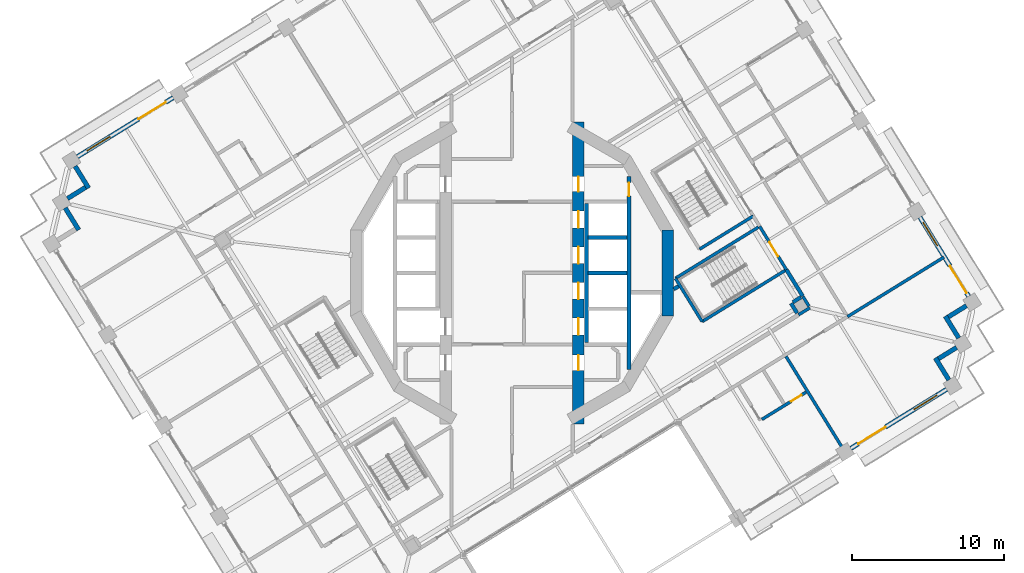
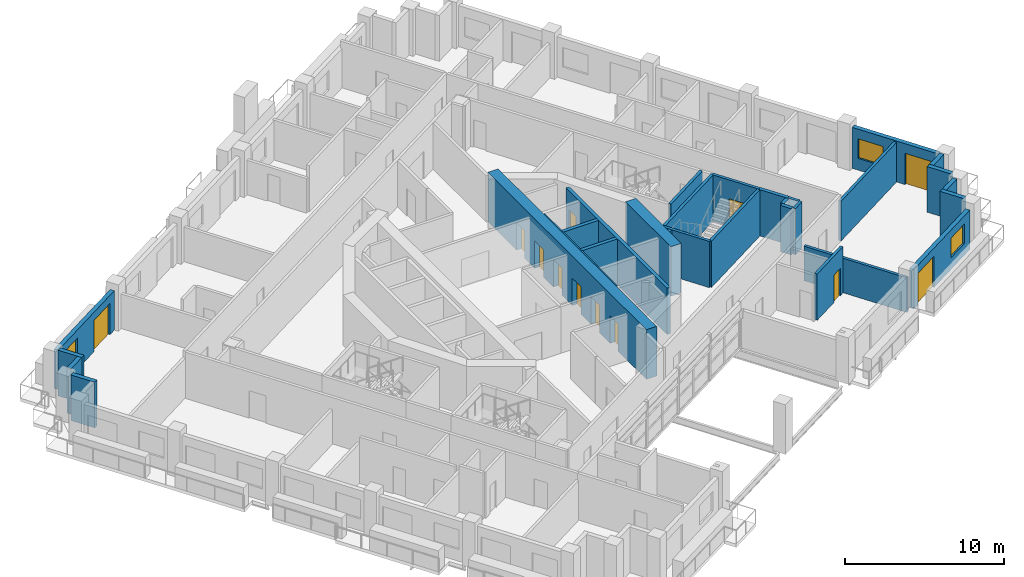
# One storey, part 11 of 22: 30 walls, 12 doors, 3 windows, 15 openings.
"""IFC4 building model written with IfcOpenShell, lengths in metres."""

from ifc_helpers import new_model, si_unit, direction, frame, frame_2d, origin, place, context, subcontext, project, spatial, rectangle, extrude, material, layer, layer_set, type_object, element, fill, save


model = new_model("IFC4")

# Units and contexts
model_context = context("Model", 3, precision=1e-05, world=origin(), true_north=direction((0.0, 1.0)))
body_context = subcontext(model_context, "Body", "Model", "MODEL_VIEW")
ifc_project = project(units=[si_unit("LENGTHUNIT", "METRE"), si_unit("AREAUNIT", "SQUARE_METRE"), si_unit("VOLUMEUNIT", "CUBIC_METRE"), si_unit("PLANEANGLEUNIT", "RADIAN"), si_unit("MASSUNIT", "GRAM", prefix="KILO")], contexts=[model_context])

# Site, building, storey
site_placement = place(None, origin())
site = spatial("IfcSite", under=ifc_project, at=site_placement, CompositionType="ELEMENT")
building_placement = place(site_placement, origin())
building = spatial("IfcBuilding", under=site, at=building_placement, Name="Cantera Rosa Tower", CompositionType="ELEMENT")
storey_placement = place(building_placement, frame((0.0, 0.0, 178.0)))
storey = spatial("IfcBuildingStorey", under=building, at=storey_placement, Name="L39", CompositionType="ELEMENT", Elevation=178.0)

# Walls
ifc_material_1 = material(Name="Gypsum board partition")
ifc_layer_1 = layer(ifc_material_1, 0.199951171875)
ifc_layer_set_1 = layer_set([ifc_layer_1], Name="CORRIDOR WALL 200 H3550")
wall_type_1 = type_object("IfcWallType", Name="CORRIDOR WALL 200 H3550", PredefinedType="PARTITIONING", material=ifc_layer_set_1)
wall_1_placement = place(storey_placement, frame((18.874267578125, -2.7509765625, 0.0), z_axis=(0.0, 0.0, 1.0), x_axis=(0.851162606387, 0.524902102766, 0.0)))
element("IfcWall", 1, at=wall_1_placement, inside=storey, type_object=wall_type_1, Name="CORRIDOR WALL L39-126", PredefinedType="PARTITIONING", context=body_context, shape_type="SweptSolid", body=[
    extrude(rectangle(XDim=0.8798828125, YDim=0.199951171875, at=frame_2d((0.43994140625, 0.0))), origin(), (0.0, 0.0, 1.0), 3.550048828125),
])
wall_2_placement = place(storey_placement, frame((19.560302734375, -2.18701171875, 0.0), z_axis=(0.0, 0.0, 1.0), x_axis=(-0.524849917314, 0.851194786342, 0.0)))
element("IfcWall", 2, at=wall_2_placement, inside=storey, type_object=wall_type_1, Name="CORRIDOR WALL L39-131", PredefinedType="PARTITIONING", context=body_context, shape_type="SweptSolid", body=[
    extrude(rectangle(XDim=0.760009765625, YDim=0.199951171875, at=frame_2d((0.3798828125, 0.0))), origin(), (0.0, 0.0, 1.0), 3.550048828125),
])
ifc_material_2 = material(Name="Hollow clay masonry with cantera stone cladding", Category="masonry")
ifc_layer_2 = layer(ifc_material_2, 0.300048828125)
ifc_layer_set_2 = layer_set([ifc_layer_2], Name="EW-LOGGIA 300")
wall_type_2 = type_object("IfcWallType", Name="EW-LOGGIA 300", PredefinedType="SOLIDWALL", material=ifc_layer_set_2)
wall_3_placement = place(storey_placement, frame((-28.7802734375, 7.0390625, 0.0), z_axis=(0.0, 0.0, 1.0), x_axis=(0.524994468487, -0.851105638601, 0.0)))
element("IfcWall", 3, at=wall_3_placement, inside=storey, type_object=wall_type_2, Name="EN-L39-W13a", PredefinedType="SOLIDWALL", context=body_context, shape_type="SweptSolid", body=[
    extrude(rectangle(XDim=1.7001953125, YDim=0.300048828125, at=frame_2d((0.85009765625, 0.0))), origin(), (0.0, 0.0, 1.0), 3.5),
])
wall_4_placement = place(storey_placement, frame((-28.09423828125, 5.64111328125, 0.0), z_axis=(0.0, 0.0, 1.0), x_axis=(-0.851040987269, -0.525099264891, 0.0)))
element("IfcWall", 4, at=wall_4_placement, inside=storey, type_object=wall_type_2, Name="EN-L39-W13b", PredefinedType="SOLIDWALL", context=body_context, shape_type="SweptSolid", body=[
    extrude(rectangle(XDim=1.39990234375, YDim=0.300048828125, at=frame_2d((0.699951171875, 0.0))), origin(), (0.0, 0.0, 1.0), 3.5),
])
for number, where, z_axis, x_axis, name in (
    (5, (-29.4326171875, 4.286865234375, 0.0), (0.0, 0.0, 1.0), (0.524994468487, -0.851105638601, 0.0), "EN-L39-W14a"),
    (6, (28.7802734375, -7.0390625, 0.0), (0.0, 0.0, 1.0), (-0.524994468487, 0.851105638601, 0.0), "EN-L39-W27a"),
):
    element("IfcWall", number, at=place(storey_placement, frame(where, z_axis=z_axis, x_axis=x_axis)), inside=storey, type_object=wall_type_2, Name=name, PredefinedType="SOLIDWALL", context=body_context, shape_type="SweptSolid", body=[
        extrude(rectangle(XDim=1.7001953125, YDim=0.300048828125, at=frame_2d((0.85009765625, 0.0))), origin(), (0.0, 0.0, 1.0), 3.5),
    ])
wall_5_placement = place(storey_placement, frame((28.09423828125, -5.64111328125, 0.0), z_axis=(0.0, 0.0, 1.0), x_axis=(0.851040987269, 0.525099264891, 0.0)))
element("IfcWall", 7, at=wall_5_placement, inside=storey, type_object=wall_type_2, Name="EN-L39-W27b", PredefinedType="SOLIDWALL", context=body_context, shape_type="SweptSolid", body=[
    extrude(rectangle(XDim=1.39990234375, YDim=0.300048828125, at=frame_2d((0.699951171875, 0.0))), origin(), (0.0, 0.0, 1.0), 3.5),
])
wall_6_placement = place(storey_placement, frame((29.4326171875, -4.286865234375, 0.0), z_axis=(0.0, 0.0, 1.0), x_axis=(-0.524994468487, 0.851105638601, 0.0)))
element("IfcWall", 8, at=wall_6_placement, inside=storey, type_object=wall_type_2, Name="EN-L39-W28a", PredefinedType="SOLIDWALL", context=body_context, shape_type="SweptSolid", body=[
    extrude(rectangle(XDim=1.7001953125, YDim=0.300048828125, at=frame_2d((0.85009765625, 0.0))), origin(), (0.0, 0.0, 1.0), 3.5),
])
wall_7_placement = place(storey_placement, frame((28.74658203125, -2.888916015625, 0.0), z_axis=(0.0, 0.0, 1.0), x_axis=(0.851040987269, 0.525099264891, 0.0)))
element("IfcWall", 9, at=wall_7_placement, inside=storey, type_object=wall_type_2, Name="EN-L39-W28b", PredefinedType="SOLIDWALL", context=body_context, shape_type="SweptSolid", body=[
    extrude(rectangle(XDim=1.39990234375, YDim=0.300048828125, at=frame_2d((0.699951171875, 0.0))), origin(), (0.0, 0.0, 1.0), 3.5),
])

# Wall, openings, window, door
ifc_material_3 = material(Name="Hollow clay masonry with cantera stone cladding", Category="masonry")
ifc_layer_3 = layer(ifc_material_3, 0.300048828125)
ifc_layer_set_3 = layer_set([ifc_layer_3], Name="EW-LOGGIA 300 H3020")
wall_type_3 = type_object("IfcWallType", Name="EW-LOGGIA 300 H3020", PredefinedType="SOLIDWALL", material=ifc_layer_set_3)
wall_8_placement = place(storey_placement, frame((-22.318115234375, 11.5537109375, 0.0), z_axis=(0.0, 0.0, 1.0), x_axis=(-0.851111085575, -0.524985637909, 0.0)))
wall_8 = element("IfcWall", 10, at=wall_8_placement, inside=storey, type_object=wall_type_3, Name="EN-L39-W12", PredefinedType="SOLIDWALL", context=body_context, shape_type="SweptSolid", body=[
    extrude(rectangle(XDim=7.420166015625, YDim=0.300048828125, at=frame_2d((3.7099609375, 0.0))), origin(), (0.0, 0.0, 1.0), 3.02001953125),
])
opening_1_placement = place(wall_8_placement, frame((0.580078125, 0.0, 0.0)))
opening_1 = element("IfcOpeningElement", 11, at=opening_1_placement, cuts=wall_8, Name="Opening L39-TD19", PredefinedType="OPENING", context=body_context, shape_type="SweptSolid", body=[
    extrude(rectangle(XDim=2.10009765625, YDim=2.39990234375, at=frame_2d((1.050048828125, 1.199951171875))), frame((0.0, 0.159912109375, 0.0), z_axis=(0.0, -1.0, 0.0), x_axis=(1.0, 0.0, 0.0)), (0.0, 0.0, 1.0), 0.320068359375),
])
opening_2_placement = place(wall_8_placement, frame((4.889892578125, 0.0, 0.89990234375)))
opening_2 = element("IfcOpeningElement", 12, at=opening_2_placement, cuts=wall_8, Name="Opening L39-W20", PredefinedType="OPENING", context=body_context, shape_type="SweptSolid", body=[
    extrude(rectangle(XDim=1.800048828125, YDim=1.5, at=frame_2d((0.89990234375, 0.75))), frame((0.0, 0.159912109375, 0.0), z_axis=(0.0, -1.0, 0.0), x_axis=(1.0, 0.0, 0.0)), (0.0, 0.0, 1.0), 0.320068359375),
])
ifc_material_4 = material(Name="Aluminium frame with clear glass", Category="aluminium")
window_type = type_object("IfcWindowType", Name="Hotel room window 1800x1500", PartitioningType="DOUBLE_PANEL_VERTICAL", PredefinedType="WINDOW", material=ifc_material_4)
window_1_placement = place(opening_2_placement, origin())
window_1 = element("IfcWindow", 13, at=window_1_placement, inside=storey, type_object=window_type, Name="WINDOW L39-W20", OverallHeight=1.5, OverallWidth=1.800048828125, PartitioningType="SINGLE_PANEL", PredefinedType="WINDOW", context=body_context, shape_type="SweptSolid", body=[
    extrude(rectangle(XDim=1.800048828125, YDim=1.5, at=frame_2d((0.89990234375, 0.75))), frame((0.0, 0.030029296875, 0.0), z_axis=(0.0, -1.0, 0.0), x_axis=(1.0, 0.0, 0.0)), (0.0, 0.0, 1.0), 0.06005859375),
])
fill(opening_2, window_1)
ifc_material_5 = material(Name="Aluminium frame with clear glass", Category="aluminium")
door_type_1 = type_object("IfcDoorType", Name="TD-H 2100x2400", OperationType="NOTDEFINED", PredefinedType="DOOR", material=ifc_material_5)
door_1_placement = place(opening_1_placement, origin())
door_1 = element("IfcDoor", 14, at=door_1_placement, inside=storey, type_object=door_type_1, Name="LOGGIA DOOR L39-TD19", OperationType="SLIDING_TO_LEFT", OverallHeight=2.39990234375, OverallWidth=2.10009765625, PredefinedType="DOOR", context=body_context, shape_type="SweptSolid", body=[
    extrude(rectangle(XDim=2.10009765625, YDim=2.39990234375, at=frame_2d((1.050048828125, 1.199951171875))), frame((0.0, 0.02490234375, 0.0), z_axis=(0.0, -1.0, 0.0), x_axis=(1.0, 0.0, 0.0)), (0.0, 0.0, 1.0), 0.050048828125),
])
fill(opening_1, door_1)

wall_9_placement = place(storey_placement, frame((22.318115234375, -11.5537109375, 0.0), z_axis=(0.0, 0.0, 1.0), x_axis=(0.851111085575, 0.524985637909, 0.0)))
wall_9 = element("IfcWall", 15, at=wall_9_placement, inside=storey, type_object=wall_type_3, Name="EN-L39-W26", PredefinedType="SOLIDWALL", context=body_context, shape_type="SweptSolid", body=[
    extrude(rectangle(XDim=7.420166015625, YDim=0.300048828125, at=frame_2d((3.7099609375, 0.0))), origin(), (0.0, 0.0, 1.0), 3.02001953125),
])
opening_3_placement = place(wall_9_placement, frame((0.580078125, 0.0, 0.0)))
opening_3 = element("IfcOpeningElement", 16, at=opening_3_placement, cuts=wall_9, Name="Opening L39-TD35", PredefinedType="OPENING", context=body_context, shape_type="SweptSolid", body=[
    extrude(rectangle(XDim=2.10009765625, YDim=2.39990234375, at=frame_2d((1.050048828125, 1.199951171875))), frame((0.0, 0.159912109375, 0.0), z_axis=(0.0, -1.0, 0.0), x_axis=(1.0, 0.0, 0.0)), (0.0, 0.0, 1.0), 0.320068359375),
])
opening_4_placement = place(wall_9_placement, frame((4.889892578125, 0.0, 0.89990234375)))
opening_4 = element("IfcOpeningElement", 17, at=opening_4_placement, cuts=wall_9, Name="Opening L39-W36", PredefinedType="OPENING", context=body_context, shape_type="SweptSolid", body=[
    extrude(rectangle(XDim=1.800048828125, YDim=1.5, at=frame_2d((0.89990234375, 0.75))), frame((0.0, 0.159912109375, 0.0), z_axis=(0.0, -1.0, 0.0), x_axis=(1.0, 0.0, 0.0)), (0.0, 0.0, 1.0), 0.320068359375),
])
window_2_placement = place(opening_4_placement, origin())
window_2 = element("IfcWindow", 18, at=window_2_placement, inside=storey, type_object=window_type, Name="WINDOW L39-W36", OverallHeight=1.5, OverallWidth=1.800048828125, PartitioningType="SINGLE_PANEL", PredefinedType="WINDOW", context=body_context, shape_type="SweptSolid", body=[
    extrude(rectangle(XDim=1.800048828125, YDim=1.5, at=frame_2d((0.89990234375, 0.75))), frame((0.0, 0.030029296875, 0.0), z_axis=(0.0, -1.0, 0.0), x_axis=(1.0, 0.0, 0.0)), (0.0, 0.0, 1.0), 0.06005859375),
])
fill(opening_4, window_2)
door_2_placement = place(opening_3_placement, origin())
door_2 = element("IfcDoor", 19, at=door_2_placement, inside=storey, type_object=door_type_1, Name="LOGGIA DOOR L39-TD35", OperationType="SLIDING_TO_LEFT", OverallHeight=2.39990234375, OverallWidth=2.10009765625, PredefinedType="DOOR", context=body_context, shape_type="SweptSolid", body=[
    extrude(rectangle(XDim=2.10009765625, YDim=2.39990234375, at=frame_2d((1.050048828125, 1.199951171875))), frame((0.0, 0.02490234375, 0.0), z_axis=(0.0, -1.0, 0.0), x_axis=(1.0, 0.0, 0.0)), (0.0, 0.0, 1.0), 0.050048828125),
])
fill(opening_3, door_2)

ifc_material_6 = material(Name="Hollow clay masonry with cantera stone cladding", Category="masonry")
ifc_layer_4 = layer(ifc_material_6, 0.300048828125)
ifc_layer_set_4 = layer_set([ifc_layer_4], Name="EW-LOGGIA 300 H3140")
wall_type_4 = type_object("IfcWallType", Name="EW-LOGGIA 300 H3140", PredefinedType="SOLIDWALL", material=ifc_layer_set_4)
wall_10_placement = place(storey_placement, frame((30.084716796875, -1.53466796875, 0.0), z_axis=(0.0, 0.0, 1.0), x_axis=(-0.524987447654, 0.851109969279, 0.0)))
wall_10 = element("IfcWall", 20, at=wall_10_placement, inside=storey, type_object=wall_type_4, Name="EN-L39-W01", PredefinedType="SOLIDWALL", context=body_context, shape_type="SweptSolid", body=[
    extrude(rectangle(XDim=6.119873046875, YDim=0.300048828125, at=frame_2d((3.06005859375, 0.0))), origin(), (0.0, 0.0, 1.0), 3.139892578125),
])
opening_5_placement = place(wall_10_placement, frame((0.2548828125, 0.0, 0.0)))
opening_5 = element("IfcOpeningElement", 21, at=opening_5_placement, cuts=wall_10, Name="Opening L39-TD01", PredefinedType="OPENING", context=body_context, shape_type="SweptSolid", body=[
    extrude(rectangle(XDim=2.10009765625, YDim=2.39990234375, at=frame_2d((1.050048828125, 1.199951171875))), frame((0.0, 0.159912109375, 0.0), z_axis=(0.0, -1.0, 0.0), x_axis=(1.0, 0.0, 0.0)), (0.0, 0.0, 1.0), 0.320068359375),
])
opening_6_placement = place(wall_10_placement, frame((3.9150390625, 0.0, 0.89990234375)))
opening_6 = element("IfcOpeningElement", 22, at=opening_6_placement, cuts=wall_10, Name="Opening L39-W02", PredefinedType="OPENING", context=body_context, shape_type="SweptSolid", body=[
    extrude(rectangle(XDim=1.800048828125, YDim=1.5, at=frame_2d((0.89990234375, 0.75))), frame((0.0, 0.159912109375, 0.0), z_axis=(0.0, -1.0, 0.0), x_axis=(1.0, 0.0, 0.0)), (0.0, 0.0, 1.0), 0.320068359375),
])
window_3_placement = place(opening_6_placement, origin())
window_3 = element("IfcWindow", 23, at=window_3_placement, inside=storey, type_object=window_type, Name="WINDOW L39-W02", OverallHeight=1.5, OverallWidth=1.800048828125, PartitioningType="SINGLE_PANEL", PredefinedType="WINDOW", context=body_context, shape_type="SweptSolid", body=[
    extrude(rectangle(XDim=1.800048828125, YDim=1.5, at=frame_2d((0.89990234375, 0.75))), frame((0.0, 0.030029296875, 0.0), z_axis=(0.0, -1.0, 0.0), x_axis=(1.0, 0.0, 0.0)), (0.0, 0.0, 1.0), 0.06005859375),
])
fill(opening_6, window_3)
door_3_placement = place(opening_5_placement, origin())
door_3 = element("IfcDoor", 24, at=door_3_placement, inside=storey, type_object=door_type_1, Name="LOGGIA DOOR L39-TD01", OperationType="SLIDING_TO_LEFT", OverallHeight=2.39990234375, OverallWidth=2.10009765625, PredefinedType="DOOR", context=body_context, shape_type="SweptSolid", body=[
    extrude(rectangle(XDim=2.10009765625, YDim=2.39990234375, at=frame_2d((1.050048828125, 1.199951171875))), frame((0.0, 0.02490234375, 0.0), z_axis=(0.0, -1.0, 0.0), x_axis=(1.0, 0.0, 0.0)), (0.0, 0.0, 1.0), 0.050048828125),
])
fill(opening_5, door_3)

# Wall, opening, door
ifc_material_7 = material(Name="Gypsum board partition")
ifc_layer_5 = layer(ifc_material_7, 0.199951171875)
ifc_layer_set_5 = layer_set([ifc_layer_5], Name="PARTITION 200 H3550")
wall_type_5 = type_object("IfcWallType", Name="PARTITION 200 H3550", PredefinedType="PARTITIONING", material=ifc_layer_set_5)
wall_11_placement = place(storey_placement, frame((19.36572265625, -7.8525390625, 0.0), z_axis=(0.0, 0.0, 1.0), x_axis=(-0.851104758838, -0.524995894731, 0.0)))
wall_11 = element("IfcWall", 25, at=wall_11_placement, inside=storey, type_object=wall_type_5, Name="PARTITION L39-130", PredefinedType="PARTITIONING", context=body_context, shape_type="SweptSolid", body=[
    extrude(rectangle(XDim=3.41015625, YDim=0.199951171875, at=frame_2d((1.705078125, 0.0))), origin(), (0.0, 0.0, 1.0), 3.550048828125),
])
opening_7_placement = place(wall_11_placement, frame((0.35498046875, 0.0, 0.0)))
opening_7 = element("IfcOpeningElement", 26, at=opening_7_placement, cuts=wall_11, Name="Opening L39-050", PredefinedType="OPENING", context=body_context, shape_type="SweptSolid", body=[
    extrude(rectangle(XDim=0.800048828125, YDim=2.10009765625, at=frame_2d((0.39990234375, 1.050048828125))), frame((0.0, 0.10986328125, 0.0), z_axis=(0.0, -1.0, 0.0), x_axis=(1.0, 0.0, 0.0)), (0.0, 0.0, 1.0), 0.219970703125),
])
ifc_material_8 = material(Name="Timber door leaf", Category="wood")
door_type_2 = type_object("IfcDoorType", Name="BATHROOM DOOR 800x2100", OperationType="NOTDEFINED", PredefinedType="DOOR", material=ifc_material_8)
door_4_placement = place(opening_7_placement, origin())
door_4 = element("IfcDoor", 27, at=door_4_placement, inside=storey, type_object=door_type_2, Name="DOOR L39-050", OperationType="NOTDEFINED", OverallHeight=2.10009765625, OverallWidth=0.800048828125, PredefinedType="DOOR", context=body_context, shape_type="SweptSolid", body=[
    extrude(rectangle(XDim=0.800048828125, YDim=2.10009765625, at=frame_2d((0.39990234375, 1.050048828125))), frame((0.0, 0.02490234375, 0.0), z_axis=(0.0, -1.0, 0.0), x_axis=(1.0, 0.0, 0.0)), (0.0, 0.0, 1.0), 0.050048828125),
])
fill(opening_7, door_4)

# Walls
ifc_material_9 = material(Name="Gypsum board partition")
ifc_layer_6 = layer(ifc_material_9, 0.199951171875)
ifc_layer_set_6 = layer_set([ifc_layer_6], Name="PARTY WALL 200 H2650")
wall_type_6 = type_object("IfcWallType", Name="PARTY WALL 200 H2650", PredefinedType="PARTITIONING", material=ifc_layer_set_6)
wall_12_placement = place(storey_placement, frame((18.05029296875, -5.49169921875, 0.0), z_axis=(0.0, 0.0, 1.0), x_axis=(0.52498429839, -0.851111911821, 0.0)))
element("IfcWall", 28, at=wall_12_placement, inside=storey, type_object=wall_type_6, Name="PARTY WALL L39-122", PredefinedType="PARTITIONING", context=body_context, shape_type="SweptSolid", body=[
    extrude(rectangle(XDim=7.3701171875, YDim=0.199951171875, at=frame_2d((3.68505859375, 0.0))), origin(), (0.0, 0.0, 1.0), 2.64990234375),
])
ifc_material_10 = material(Name="Gypsum board partition")
ifc_layer_7 = layer(ifc_material_10, 0.199951171875)
ifc_layer_set_7 = layer_set([ifc_layer_7], Name="PARTY WALL 200 H3050")
wall_type_7 = type_object("IfcWallType", Name="PARTY WALL 200 H3050", PredefinedType="PARTITIONING", material=ifc_layer_set_7)
wall_13_placement = place(storey_placement, frame((28.4580078125, 1.04541015625, 0.0), z_axis=(0.0, 0.0, 1.0), x_axis=(-0.85111586596, -0.524977887831, 0.0)))
element("IfcWall", 29, at=wall_13_placement, inside=storey, type_object=wall_type_7, Name="PARTY WALL L39-135", PredefinedType="PARTITIONING", context=body_context, shape_type="SweptSolid", body=[
    extrude(rectangle(XDim=7.469970703125, YDim=0.199951171875, at=frame_2d((3.73486328125, 0.0))), origin(), (0.0, 0.0, 1.0), 3.050048828125),
])
ifc_material_11 = material(Name="Concrete C60/75", Category="concrete")
ifc_layer_8 = layer(ifc_material_11, 0.75)
ifc_layer_set_8 = layer_set([ifc_layer_8], Name="RC CORE WALL 750 C60/75")
wall_type_8 = type_object("IfcWallType", Name="RC CORE WALL 750 C60/75", PredefinedType="SHEAR", material=ifc_layer_set_8)
wall_14_placement = place(storey_placement, frame((10.250244140625, 2.846923828125, 0.0), z_axis=(0.0, 0.0, 1.0), x_axis=(0.0, -1.0, 0.0)))
element("IfcWall", 30, at=wall_14_placement, inside=storey, type_object=wall_type_8, Name="CW-E3 L39", PredefinedType="SHEAR", context=body_context, shape_type="SweptSolid", body=[
    extrude(rectangle(XDim=5.69384765625, YDim=0.75, at=frame_2d((2.846923828125, 0.0))), origin(), (0.0, 0.0, 1.0), 3.800048828125),
])

# Wall, openings, doors
wall_15_placement = place(storey_placement, frame((4.375, -9.95947265625, 0.0), z_axis=(0.0, 0.0, 1.0), x_axis=(0.0, 1.0, 0.0)))
wall_15 = element("IfcWall", 31, at=wall_15_placement, inside=storey, type_object=wall_type_8, Name="CW-E6 L39", PredefinedType="SHEAR", context=body_context, shape_type="SweptSolid", body=[
    extrude(rectangle(XDim=19.9189453125, YDim=0.75, at=frame_2d((9.95947265625, 0.0))), origin(), (0.0, 0.0, 1.0), 3.800048828125),
])
opening_8_placement = place(wall_15_placement, frame((5.884521484375, 0.0, 0.0)))
opening_8 = element("IfcOpeningElement", 32, at=opening_8_placement, cuts=wall_15, Name="Opening LD-FF1-L39", PredefinedType="OPENING", context=body_context, shape_type="SweptSolid", body=[
    extrude(rectangle(XDim=1.10009765625, YDim=2.10009765625, at=frame_2d((0.550048828125, 1.050048828125))), frame((0.0, 0.385009765625, 0.0), z_axis=(0.0, -1.0, 0.0), x_axis=(1.0, 0.0, 0.0)), (0.0, 0.0, 1.0), 0.77001953125),
])
opening_9_placement = place(wall_15_placement, frame((8.234619140625, 0.0, 0.0)))
opening_9 = element("IfcOpeningElement", 33, at=opening_9_placement, cuts=wall_15, Name="Opening LD-FF2-L39", PredefinedType="OPENING", context=body_context, shape_type="SweptSolid", body=[
    extrude(rectangle(XDim=1.10009765625, YDim=2.10009765625, at=frame_2d((0.550048828125, 1.050048828125))), frame((0.0, 0.385009765625, 0.0), z_axis=(0.0, -1.0, 0.0), x_axis=(1.0, 0.0, 0.0)), (0.0, 0.0, 1.0), 0.77001953125),
])
opening_10_placement = place(wall_15_placement, frame((10.58447265625, 0.0, 0.0)))
opening_10 = element("IfcOpeningElement", 34, at=opening_10_placement, cuts=wall_15, Name="Opening LD-P1-L39", PredefinedType="OPENING", context=body_context, shape_type="SweptSolid", body=[
    extrude(rectangle(XDim=1.10009765625, YDim=2.10009765625, at=frame_2d((0.550048828125, 1.050048828125))), frame((0.0, 0.385009765625, 0.0), z_axis=(0.0, -1.0, 0.0), x_axis=(1.0, 0.0, 0.0)), (0.0, 0.0, 1.0), 0.77001953125),
])
opening_11_placement = place(wall_15_placement, frame((12.9345703125, 0.0, 0.0)))
opening_11 = element("IfcOpeningElement", 35, at=opening_11_placement, cuts=wall_15, Name="Opening LD-P2-L39", PredefinedType="OPENING", context=body_context, shape_type="SweptSolid", body=[
    extrude(rectangle(XDim=1.10009765625, YDim=2.10009765625, at=frame_2d((0.550048828125, 1.050048828125))), frame((0.0, 0.385009765625, 0.0), z_axis=(0.0, -1.0, 0.0), x_axis=(1.0, 0.0, 0.0)), (0.0, 0.0, 1.0), 0.77001953125),
])
opening_12_placement = place(wall_15_placement, frame((3.55078125, 0.0, 0.0)))
opening_12 = element("IfcOpeningElement", 36, at=opening_12_placement, cuts=wall_15, Name="Opening SD-L39-20", PredefinedType="OPENING", context=body_context, shape_type="SweptSolid", body=[
    extrude(rectangle(XDim=1.0, YDim=2.10009765625, at=frame_2d((0.5, 1.050048828125))), frame((0.0, 0.385009765625, 0.0), z_axis=(0.0, -1.0, 0.0), x_axis=(1.0, 0.0, 0.0)), (0.0, 0.0, 1.0), 0.77001953125),
])
opening_13_placement = place(wall_15_placement, frame((15.318115234375, 0.0, 0.0)))
opening_13 = element("IfcOpeningElement", 37, at=opening_13_placement, cuts=wall_15, Name="Opening SD-L39-21", PredefinedType="OPENING", context=body_context, shape_type="SweptSolid", body=[
    extrude(rectangle(XDim=1.0, YDim=2.10009765625, at=frame_2d((0.5, 1.050048828125))), frame((0.0, 0.385009765625, 0.0), z_axis=(0.0, -1.0, 0.0), x_axis=(1.0, 0.0, 0.0)), (0.0, 0.0, 1.0), 0.77001953125),
])
ifc_material_12 = material(Name="Steel S355J2 (EN 10025-2)", Category="steel")
door_type_3 = type_object("IfcDoorType", Name="LANDING DOOR 1100x2100", OperationType="NOTDEFINED", PredefinedType="DOOR", material=ifc_material_12)
door_5_placement = place(opening_8_placement, origin())
door_5 = element("IfcDoor", 38, at=door_5_placement, inside=storey, type_object=door_type_3, Name="LANDING DOOR FF1 L39", OperationType="SLIDING_TO_LEFT", OverallHeight=2.10009765625, OverallWidth=1.10009765625, PredefinedType="DOOR", context=body_context, shape_type="SweptSolid", body=[
    extrude(rectangle(XDim=1.10009765625, YDim=2.10009765625, at=frame_2d((0.550048828125, 1.050048828125))), frame((0.0, 0.02490234375, 0.0), z_axis=(0.0, -1.0, 0.0), x_axis=(1.0, 0.0, 0.0)), (0.0, 0.0, 1.0), 0.050048828125),
])
fill(opening_8, door_5)
door_6_placement = place(opening_9_placement, origin())
door_6 = element("IfcDoor", 39, at=door_6_placement, inside=storey, type_object=door_type_3, Name="LANDING DOOR FF2 L39", OperationType="SLIDING_TO_LEFT", OverallHeight=2.10009765625, OverallWidth=1.10009765625, PredefinedType="DOOR", context=body_context, shape_type="SweptSolid", body=[
    extrude(rectangle(XDim=1.10009765625, YDim=2.10009765625, at=frame_2d((0.550048828125, 1.050048828125))), frame((0.0, 0.02490234375, 0.0), z_axis=(0.0, -1.0, 0.0), x_axis=(1.0, 0.0, 0.0)), (0.0, 0.0, 1.0), 0.050048828125),
])
fill(opening_9, door_6)
door_7_placement = place(opening_10_placement, origin())
door_7 = element("IfcDoor", 40, at=door_7_placement, inside=storey, type_object=door_type_3, Name="LANDING DOOR P1 L39", OperationType="SLIDING_TO_LEFT", OverallHeight=2.10009765625, OverallWidth=1.10009765625, PredefinedType="DOOR", context=body_context, shape_type="SweptSolid", body=[
    extrude(rectangle(XDim=1.10009765625, YDim=2.10009765625, at=frame_2d((0.550048828125, 1.050048828125))), frame((0.0, 0.02490234375, 0.0), z_axis=(0.0, -1.0, 0.0), x_axis=(1.0, 0.0, 0.0)), (0.0, 0.0, 1.0), 0.050048828125),
])
fill(opening_10, door_7)
door_8_placement = place(opening_11_placement, origin())
door_8 = element("IfcDoor", 41, at=door_8_placement, inside=storey, type_object=door_type_3, Name="LANDING DOOR P2 L39", OperationType="SLIDING_TO_LEFT", OverallHeight=2.10009765625, OverallWidth=1.10009765625, PredefinedType="DOOR", context=body_context, shape_type="SweptSolid", body=[
    extrude(rectangle(XDim=1.10009765625, YDim=2.10009765625, at=frame_2d((0.550048828125, 1.050048828125))), frame((0.0, 0.02490234375, 0.0), z_axis=(0.0, -1.0, 0.0), x_axis=(1.0, 0.0, 0.0)), (0.0, 0.0, 1.0), 0.050048828125),
])
fill(opening_11, door_8)
ifc_material_13 = material(Name="Timber door leaf", Category="wood")
door_type_4 = type_object("IfcDoorType", Name="SERVICE DOOR 1000x2100", OperationType="NOTDEFINED", PredefinedType="DOOR", material=ifc_material_13)
door_9_placement = place(opening_12_placement, origin())
door_9 = element("IfcDoor", 42, at=door_9_placement, inside=storey, type_object=door_type_4, Name="DOOR L39-SD20", OperationType="NOTDEFINED", OverallHeight=2.10009765625, OverallWidth=1.0, PredefinedType="DOOR", context=body_context, shape_type="SweptSolid", body=[
    extrude(rectangle(XDim=1.0, YDim=2.10009765625, at=frame_2d((0.5, 1.050048828125))), frame((0.0, 0.02490234375, 0.0), z_axis=(0.0, -1.0, 0.0), x_axis=(1.0, 0.0, 0.0)), (0.0, 0.0, 1.0), 0.050048828125),
])
fill(opening_12, door_9)
door_10_placement = place(opening_13_placement, origin())
door_10 = element("IfcDoor", 43, at=door_10_placement, inside=storey, type_object=door_type_4, Name="DOOR L39-SD21", OperationType="NOTDEFINED", OverallHeight=2.10009765625, OverallWidth=1.0, PredefinedType="DOOR", context=body_context, shape_type="SweptSolid", body=[
    extrude(rectangle(XDim=1.0, YDim=2.10009765625, at=frame_2d((0.5, 1.050048828125))), frame((0.0, 0.02490234375, 0.0), z_axis=(0.0, -1.0, 0.0), x_axis=(1.0, 0.0, 0.0)), (0.0, 0.0, 1.0), 0.050048828125),
])
fill(opening_13, door_10)

# Walls
ifc_material_14 = material(Name="Masonry blockwork", Category="masonry")
ifc_layer_9 = layer(ifc_material_14, 0.25)
ifc_layer_set_9 = layer_set([ifc_layer_9], Name="SHAFT WALL 250 H3550")
wall_type_9 = type_object("IfcWallType", Name="SHAFT WALL 250 H3550", PredefinedType="SOLIDWALL", material=ifc_layer_set_9)
wall_16_placement = place(storey_placement, frame((5.014892578125, 0.0, 0.0), z_axis=(0.0, 0.0, 1.0), x_axis=(1.0, 0.0, 0.0)))
element("IfcWall", 44, at=wall_16_placement, inside=storey, type_object=wall_type_9, Name="SHAFT WALL L39-081", PredefinedType="SOLIDWALL", context=body_context, shape_type="SweptSolid", body=[
    extrude(rectangle(XDim=2.56005859375, YDim=0.25, at=frame_2d((1.280029296875, 0.0))), origin(), (0.0, 0.0, 1.0), 3.550048828125),
])
wall_17_placement = place(storey_placement, frame((4.89990234375, 4.574951171875, 0.0), z_axis=(0.0, 0.0, 1.0), x_axis=(0.0, -1.0, 0.0)))
element("IfcWall", 45, at=wall_17_placement, inside=storey, type_object=wall_type_9, Name="SHAFT WALL L39-084", PredefinedType="SOLIDWALL", context=body_context, shape_type="SweptSolid", body=[
    extrude(rectangle(XDim=9.14990234375, YDim=0.25, at=frame_2d((4.574951171875, 0.0))), origin(), (0.0, 0.0, 1.0), 3.550048828125),
])

# Wall, opening, door
wall_18_placement = place(storey_placement, frame((7.699951171875, -6.353515625, 0.0), z_axis=(0.0, 0.0, 1.0), x_axis=(0.0, 1.0, 0.0)))
wall_18 = element("IfcWall", 46, at=wall_18_placement, inside=storey, type_object=wall_type_9, Name="SHAFT WALL L39-095", PredefinedType="SOLIDWALL", context=body_context, shape_type="SweptSolid", body=[
    extrude(rectangle(XDim=12.70703125, YDim=0.25, at=frame_2d((6.353515625, 0.0))), origin(), (0.0, 0.0, 1.0), 3.550048828125),
])
opening_14_placement = place(wall_18_placement, frame((11.4150390625, 0.0, 0.0)))
opening_14 = element("IfcOpeningElement", 47, at=opening_14_placement, cuts=wall_18, Name="Opening L39-057", PredefinedType="OPENING", context=body_context, shape_type="SweptSolid", body=[
    extrude(rectangle(XDim=0.89990234375, YDim=2.10009765625, at=frame_2d((0.449951171875, 1.050048828125))), frame((0.0, 0.135009765625, 0.0), z_axis=(0.0, -1.0, 0.0), x_axis=(1.0, 0.0, 0.0)), (0.0, 0.0, 1.0), 0.27001953125),
])
ifc_material_15 = material(Name="Timber door leaf", Category="wood")
door_type_5 = type_object("IfcDoorType", Name="SERVICE DOOR 900x2100", OperationType="NOTDEFINED", PredefinedType="DOOR", material=ifc_material_15)
door_11_placement = place(opening_14_placement, origin())
door_11 = element("IfcDoor", 48, at=door_11_placement, inside=storey, type_object=door_type_5, Name="RISER DOOR L39-057", OperationType="NOTDEFINED", OverallHeight=2.10009765625, OverallWidth=0.89990234375, PredefinedType="DOOR", context=body_context, shape_type="SweptSolid", body=[
    extrude(rectangle(XDim=0.89990234375, YDim=2.10009765625, at=frame_2d((0.449951171875, 1.050048828125))), frame((0.0, 0.02490234375, 0.0), z_axis=(0.0, -1.0, 0.0), x_axis=(1.0, 0.0, 0.0)), (0.0, 0.0, 1.0), 0.050048828125),
])
fill(opening_14, door_11)

# Walls
wall_19_placement = place(storey_placement, frame((7.574951171875, 2.35009765625, 0.0), z_axis=(0.0, 0.0, 1.0), x_axis=(-1.0, 0.0, 0.0)))
element("IfcWall", 49, at=wall_19_placement, inside=storey, type_object=wall_type_9, Name="SHAFT WALL L39-099", PredefinedType="SOLIDWALL", context=body_context, shape_type="SweptSolid", body=[
    extrude(rectangle(XDim=2.56005859375, YDim=0.25, at=frame_2d((1.280029296875, 0.0))), origin(), (0.0, 0.0, 1.0), 3.550048828125),
])
wall_20_placement = place(storey_placement, frame((10.6552734375, -1.064697265625, 0.0), z_axis=(0.0, 0.0, 1.0), x_axis=(0.851273802502, 0.524721748333, 0.0)))
element("IfcWall", 50, at=wall_20_placement, inside=storey, type_object=wall_type_9, Name="SHAFT WALL L39-103", PredefinedType="SOLIDWALL", context=body_context, shape_type="SweptSolid", body=[
    extrude(rectangle(XDim=0.370849609375, YDim=0.25, at=frame_2d((0.185546875, 0.0))), origin(), (0.0, 0.0, 1.0), 3.550048828125),
])
wall_21_placement = place(storey_placement, frame((18.384765625, -1.99560546875, 0.0), z_axis=(0.0, 0.0, 1.0), x_axis=(0.52499344753, -0.851106268365, 0.0)))
element("IfcWall", 51, at=wall_21_placement, inside=storey, type_object=wall_type_9, Name="SHAFT WALL L39-125", PredefinedType="SOLIDWALL", context=body_context, shape_type="SweptSolid", body=[
    extrude(rectangle(XDim=0.759765625, YDim=0.25, at=frame_2d((0.3798828125, 0.0))), origin(), (0.0, 0.0, 1.0), 3.550048828125),
])
wall_22_placement = place(storey_placement, frame((19.15087890625, -1.52294921875, 0.0), z_axis=(0.0, 0.0, 1.0), x_axis=(-0.525087139425, 0.851048468661, 0.0)))
element("IfcWall", 52, at=wall_22_placement, inside=storey, type_object=wall_type_9, Name="SHAFT WALL L39-128", PredefinedType="SOLIDWALL", context=body_context, shape_type="SweptSolid", body=[
    extrude(rectangle(XDim=2.050048828125, YDim=0.25, at=frame_2d((1.02490234375, 0.0))), origin(), (0.0, 0.0, 1.0), 3.550048828125),
])
wall_23_placement = place(storey_placement, frame((19.031494140625, -1.596435546875, 0.0), z_axis=(0.0, 0.0, 1.0), x_axis=(-0.85092741859, -0.52528328385, 0.0)))
element("IfcWall", 53, at=wall_23_placement, inside=storey, type_object=wall_type_9, Name="SHAFT WALL L39-129", PredefinedType="SOLIDWALL", context=body_context, shape_type="SweptSolid", body=[
    extrude(rectangle(XDim=0.6201171875, YDim=0.25, at=frame_2d((0.31005859375, 0.0))), origin(), (0.0, 0.0, 1.0), 3.550048828125),
])
ifc_material_16 = material(Name="Concrete C50/60", Category="concrete")
ifc_layer_10 = layer(ifc_material_16, 0.199951171875)
ifc_layer_set_10 = layer_set([ifc_layer_10], Name="STAIR WALL 200 H3550")
wall_type_10 = type_object("IfcWallType", Name="STAIR WALL 200 H3550", PredefinedType="SOLIDWALL", material=ifc_layer_set_10)
wall_24_placement = place(storey_placement, frame((10.767333984375, -0.349365234375, 0.0), z_axis=(0.0, 0.0, 1.0), x_axis=(0.524938861495, -0.85113993661, 0.0)))
element("IfcWall", 54, at=wall_24_placement, inside=storey, type_object=wall_type_10, Name="STAIR WALL L39-105", PredefinedType="SOLIDWALL", context=body_context, shape_type="SweptSolid", body=[
    extrude(rectangle(XDim=3.35009765625, YDim=0.199951171875, at=frame_2d((1.675048828125, 0.0))), origin(), (0.0, 0.0, 1.0), 3.550048828125),
])
wall_25_placement = place(storey_placement, frame((12.349365234375, 1.5673828125, 0.0), z_axis=(0.0, 0.0, 1.0), x_axis=(0.851120688733, 0.524970068871, 0.0)))
element("IfcWall", 55, at=wall_25_placement, inside=storey, type_object=wall_type_10, Name="STAIR WALL L39-107", PredefinedType="SOLIDWALL", context=body_context, shape_type="SweptSolid", body=[
    extrude(rectangle(XDim=4.16650390625, YDim=0.199951171875, at=frame_2d((2.083251953125, 0.0))), origin(), (0.0, 0.0, 1.0), 3.550048828125),
])
for number, where, z_axis, x_axis, name in (
    (56, (12.52587890625, -3.20068359375, 0.0), (0.0, 0.0, 1.0), (0.851120392665, 0.524970548879, 0.0), "STAIR WALL L39-108"),
    (57, (16.31591796875, 3.072998046875, 0.0), (0.0, 0.0, 1.0), (-0.851120392665, -0.524970548879, 0.0), "STAIR WALL L39-116"),
):
    element("IfcWall", number, at=place(storey_placement, frame(where, z_axis=z_axis, x_axis=x_axis)), inside=storey, type_object=wall_type_10, Name=name, PredefinedType="SOLIDWALL", context=body_context, shape_type="SweptSolid", body=[
        extrude(rectangle(XDim=6.51904296875, YDim=0.199951171875, at=frame_2d((3.259521484375, 0.0))), origin(), (0.0, 0.0, 1.0), 3.550048828125),
    ])

# Wall, opening, door
wall_26_placement = place(storey_placement, frame((18.074462890625, 0.2216796875, 0.0), z_axis=(0.0, 0.0, 1.0), x_axis=(-0.524938861495, 0.85113993661, 0.0)))
wall_26 = element("IfcWall", 58, at=wall_26_placement, inside=storey, type_object=wall_type_10, Name="STAIR WALL L39-123", PredefinedType="SOLIDWALL", context=body_context, shape_type="SweptSolid", body=[
    extrude(rectangle(XDim=3.35009765625, YDim=0.199951171875, at=frame_2d((1.675048828125, 0.0))), origin(), (0.0, 0.0, 1.0), 3.550048828125),
])
opening_15_placement = place(wall_26_placement, frame((1.02978515625, 0.0, 0.0)))
opening_15 = element("IfcOpeningElement", 59, at=opening_15_placement, cuts=wall_26, Name="Opening L39-004", PredefinedType="OPENING", context=body_context, shape_type="SweptSolid", body=[
    extrude(rectangle(XDim=1.10009765625, YDim=2.10009765625, at=frame_2d((0.550048828125, 1.050048828125))), frame((0.0, 0.10986328125, 0.0), z_axis=(0.0, -1.0, 0.0), x_axis=(1.0, 0.0, 0.0)), (0.0, 0.0, 1.0), 0.219970703125),
])
ifc_material_17 = material(Name="Steel S355J2 (EN 10025-2)", Category="steel")
door_type_6 = type_object("IfcDoorType", Name="STAIR DOOR 1100x2100", OperationType="NOTDEFINED", PredefinedType="DOOR", material=ifc_material_17)
door_12_placement = place(opening_15_placement, origin())
door_12 = element("IfcDoor", 60, at=door_12_placement, inside=storey, type_object=door_type_6, Name="DOOR L39-004", OperationType="NOTDEFINED", OverallHeight=2.10009765625, OverallWidth=1.10009765625, PredefinedType="DOOR", context=body_context, shape_type="SweptSolid", body=[
    extrude(rectangle(XDim=1.10009765625, YDim=2.10009765625, at=frame_2d((0.550048828125, 1.050048828125))), frame((0.0, 0.02490234375, 0.0), z_axis=(0.0, -1.0, 0.0), x_axis=(1.0, 0.0, 0.0)), (0.0, 0.0, 1.0), 0.050048828125),
])
fill(opening_15, door_12)

save(model, "model.ifc")
